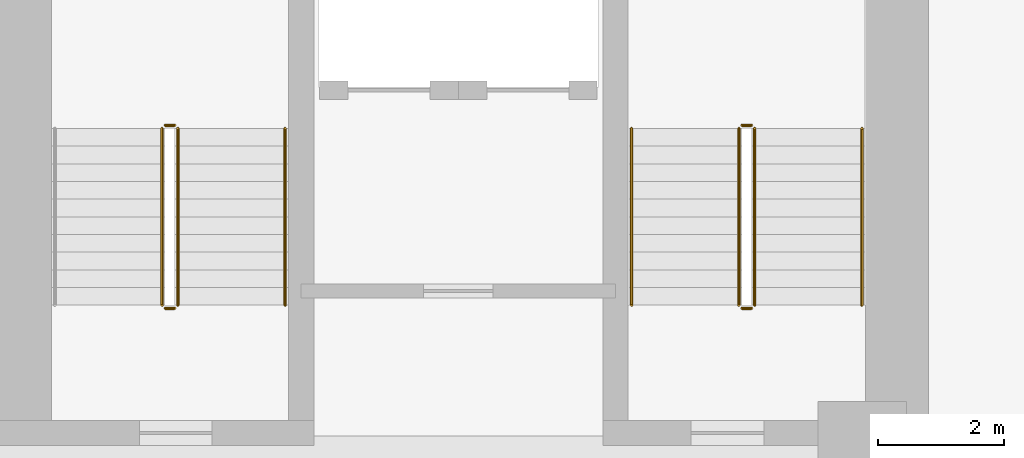
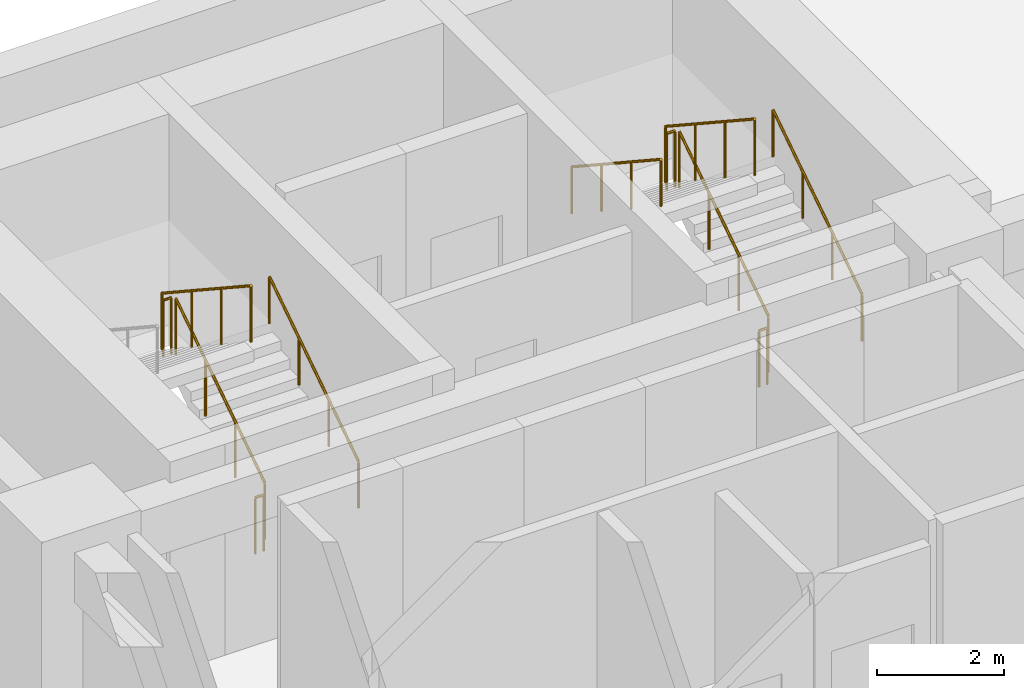
# One storey, part 9 of 11: 11 railings.
"""IFC4 building model written with IfcOpenShell, lengths in metres."""

from ifc_helpers import new_model, si_unit, direction, frame, origin, origin_2d, place, context, subcontext, project, spatial, circle, extrude, material, type_object, element, save


model = new_model("IFC4")

# Units and contexts
model_context = context("Model", 3, precision=1e-05, world=origin(), true_north=direction((0.0, 1.0)))
body_context = subcontext(model_context, "Body", "Model", "MODEL_VIEW")
ifc_project = project(units=[si_unit("LENGTHUNIT", "METRE"), si_unit("AREAUNIT", "SQUARE_METRE"), si_unit("VOLUMEUNIT", "CUBIC_METRE"), si_unit("PLANEANGLEUNIT", "RADIAN"), si_unit("MASSUNIT", "GRAM", prefix="KILO")], contexts=[model_context])

# Site, building, storey
site_placement = place(None, origin())
site = spatial("IfcSite", under=ifc_project, at=site_placement, CompositionType="ELEMENT")
building_placement = place(site_placement, origin())
building = spatial("IfcBuilding", under=site, at=building_placement, Name="Sulina Concourse Tower", CompositionType="ELEMENT")
storey_placement = place(building_placement, frame((0.0, 0.0, 5.39990234375)))
storey = spatial("IfcBuildingStorey", under=building, at=storey_placement, Name="L01", CompositionType="ELEMENT", Elevation=5.39990234375)

# Railings
ifc_material_1 = material(Name="Galvanised steel railing", Category="steel")
railing_type_1 = type_object("IfcRailingType", Name="Core Stair Steel Guardrail 1150mm", PredefinedType="GUARDRAIL", material=ifc_material_1)
railing_1_placement = place(storey_placement, frame((5.554931640625, 36.375, 0.18408203125)))
element("IfcRailing", 1, at=railing_1_placement, inside=storey, type_object=railing_type_1, Name="L01 ST-1 stair guard 1", PredefinedType="GUARDRAIL", context=body_context, shape_type="SweptSolid", body=[
    extrude(circle(Radius=0.02392578125, at=origin_2d()), frame((0.0, 0.0, 1.076171875), z_axis=(0.0, 0.83556406348, 0.549393024911), x_axis=(-1.0, 0.0, 0.0)), (0.0, 0.0, 1.0), 3.35107421875),
    extrude(circle(Radius=0.02099609375, at=origin_2d()), origin(), (0.0, 0.0, 1.0), 1.052001953125),
    extrude(circle(Radius=0.02099609375, at=origin_2d()), frame((0.0, 0.933349609375, 0.61376953125)), (0.0, 0.0, 1.0), 1.052001953125),
    extrude(circle(Radius=0.02099609375, at=origin_2d()), frame((0.0, 1.86669921875, 1.227294921875)), (0.0, 0.0, 1.0), 1.052001953125),
    extrude(circle(Radius=0.02099609375, at=origin_2d()), frame((0.0, 2.800048828125, 1.841064453125)), (0.0, 0.0, 1.0), 1.052001953125),
])
railing_2_placement = place(storey_placement, frame((5.5048828125, 39.22509765625, 2.025146484375)))
element("IfcRailing", 2, at=railing_2_placement, inside=storey, type_object=railing_type_1, Name="L01 ST-1 stair guard 2", PredefinedType="GUARDRAIL", context=body_context, shape_type="SweptSolid", body=[
    extrude(circle(Radius=0.02392578125, at=origin_2d()), frame((0.0, 0.0, 1.076171875), z_axis=(-1.0, 0.0, 0.0), x_axis=(0.0, -1.0, 0.0)), (0.0, 0.0, 1.0), 0.14990234375),
    extrude(circle(Radius=0.02099609375, at=origin_2d()), origin(), (0.0, 0.0, 1.0), 1.052001953125),
    extrude(circle(Radius=0.02099609375, at=origin_2d()), frame((-0.14990234375, 0.0, 0.0)), (0.0, 0.0, 1.0), 1.052001953125),
])
railing_3_placement = place(storey_placement, frame((5.304931640625, 39.175048828125, 2.209228515625)))
element("IfcRailing", 3, at=railing_3_placement, inside=storey, type_object=railing_type_1, Name="L01 ST-1 stair guard 3", PredefinedType="GUARDRAIL", context=body_context, shape_type="SweptSolid", body=[
    extrude(circle(Radius=0.02392578125, at=origin_2d()), frame((0.0, 0.0, 1.076171875), z_axis=(0.0, -0.835597507184, 0.549342157483), x_axis=(1.0, 0.0, 0.0)), (0.0, 0.0, 1.0), 3.35107421875),
    extrude(circle(Radius=0.02099609375, at=origin_2d()), origin(), (0.0, 0.0, 1.0), 1.052001953125),
    extrude(circle(Radius=0.02099609375, at=origin_2d()), frame((0.0, -0.933349609375, 0.613525390625)), (0.0, 0.0, 1.0), 1.052001953125),
    extrude(circle(Radius=0.02099609375, at=origin_2d()), frame((0.0, -1.86669921875, 1.227294921875)), (0.0, 0.0, 1.0), 1.052001953125),
    extrude(circle(Radius=0.02099609375, at=origin_2d()), frame((0.0, -2.800048828125, 1.8408203125)), (0.0, 0.0, 1.0), 1.052001953125),
])
railing_4_placement = place(storey_placement, frame((5.5048828125, 36.324951171875, 0.0)))
element("IfcRailing", 4, at=railing_4_placement, inside=storey, type_object=railing_type_1, Name="L01 ST-1 stair guard 4", PredefinedType="GUARDRAIL", context=body_context, shape_type="SweptSolid", body=[
    extrude(circle(Radius=0.02392578125, at=origin_2d()), frame((0.0, 0.0, 1.076171875), z_axis=(-1.0, 0.0, 0.0), x_axis=(0.0, -1.0, 0.0)), (0.0, 0.0, 1.0), 0.14990234375),
    extrude(circle(Radius=0.02099609375, at=origin_2d()), origin(), (0.0, 0.0, 1.0), 1.052001953125),
    extrude(circle(Radius=0.02099609375, at=origin_2d()), frame((-0.14990234375, 0.0, 0.0)), (0.0, 0.0, 1.0), 1.052001953125),
])
railing_5_placement = place(storey_placement, frame((14.695068359375, 36.375, 0.18408203125)))
element("IfcRailing", 5, at=railing_5_placement, inside=storey, type_object=railing_type_1, Name="L01 ST-2 stair guard 1", PredefinedType="GUARDRAIL", context=body_context, shape_type="SweptSolid", body=[
    extrude(circle(Radius=0.02392578125, at=origin_2d()), frame((0.0, 0.0, 1.076171875), z_axis=(0.0, 0.83556406348, 0.549393024911), x_axis=(-1.0, 0.0, 0.0)), (0.0, 0.0, 1.0), 3.35107421875),
    extrude(circle(Radius=0.02099609375, at=origin_2d()), origin(), (0.0, 0.0, 1.0), 1.052001953125),
    extrude(circle(Radius=0.02099609375, at=origin_2d()), frame((0.0, 0.933349609375, 0.61376953125)), (0.0, 0.0, 1.0), 1.052001953125),
    extrude(circle(Radius=0.02099609375, at=origin_2d()), frame((0.0, 1.86669921875, 1.227294921875)), (0.0, 0.0, 1.0), 1.052001953125),
    extrude(circle(Radius=0.02099609375, at=origin_2d()), frame((0.0, 2.800048828125, 1.841064453125)), (0.0, 0.0, 1.0), 1.052001953125),
])
railing_6_placement = place(storey_placement, frame((14.64501953125, 39.22509765625, 2.025146484375)))
element("IfcRailing", 6, at=railing_6_placement, inside=storey, type_object=railing_type_1, Name="L01 ST-2 stair guard 2", PredefinedType="GUARDRAIL", context=body_context, shape_type="SweptSolid", body=[
    extrude(circle(Radius=0.02392578125, at=origin_2d()), frame((0.0, 0.0, 1.076171875), z_axis=(-1.0, 0.0, 0.0), x_axis=(0.0, -1.0, 0.0)), (0.0, 0.0, 1.0), 0.14990234375),
    extrude(circle(Radius=0.02099609375, at=origin_2d()), origin(), (0.0, 0.0, 1.0), 1.052001953125),
    extrude(circle(Radius=0.02099609375, at=origin_2d()), frame((-0.14990234375, 0.0, 0.0)), (0.0, 0.0, 1.0), 1.052001953125),
])
railing_7_placement = place(storey_placement, frame((14.445068359375, 39.175048828125, 2.209228515625)))
element("IfcRailing", 7, at=railing_7_placement, inside=storey, type_object=railing_type_1, Name="L01 ST-2 stair guard 3", PredefinedType="GUARDRAIL", context=body_context, shape_type="SweptSolid", body=[
    extrude(circle(Radius=0.02392578125, at=origin_2d()), frame((0.0, 0.0, 1.076171875), z_axis=(0.0, -0.835597507184, 0.549342157483), x_axis=(1.0, 0.0, 0.0)), (0.0, 0.0, 1.0), 3.35107421875),
    extrude(circle(Radius=0.02099609375, at=origin_2d()), origin(), (0.0, 0.0, 1.0), 1.052001953125),
    extrude(circle(Radius=0.02099609375, at=origin_2d()), frame((0.0, -0.933349609375, 0.613525390625)), (0.0, 0.0, 1.0), 1.052001953125),
    extrude(circle(Radius=0.02099609375, at=origin_2d()), frame((0.0, -1.86669921875, 1.227294921875)), (0.0, 0.0, 1.0), 1.052001953125),
    extrude(circle(Radius=0.02099609375, at=origin_2d()), frame((0.0, -2.800048828125, 1.8408203125)), (0.0, 0.0, 1.0), 1.052001953125),
])
railing_8_placement = place(storey_placement, frame((14.64501953125, 36.324951171875, 0.0)))
element("IfcRailing", 8, at=railing_8_placement, inside=storey, type_object=railing_type_1, Name="L01 ST-2 stair guard 4", PredefinedType="GUARDRAIL", context=body_context, shape_type="SweptSolid", body=[
    extrude(circle(Radius=0.02392578125, at=origin_2d()), frame((0.0, 0.0, 1.076171875), z_axis=(-1.0, 0.0, 0.0), x_axis=(0.0, -1.0, 0.0)), (0.0, 0.0, 1.0), 0.14990234375),
    extrude(circle(Radius=0.02099609375, at=origin_2d()), origin(), (0.0, 0.0, 1.0), 1.052001953125),
    extrude(circle(Radius=0.02099609375, at=origin_2d()), frame((-0.14990234375, 0.0, 0.0)), (0.0, 0.0, 1.0), 1.052001953125),
])
ifc_material_2 = material(Name="Galvanised steel railing", Category="steel")
railing_type_2 = type_object("IfcRailingType", Name="Stair Wall Steel Handrail 920mm", PredefinedType="HANDRAIL", material=ifc_material_2)
for number, where, name in (
    (9, (7.2548828125, 36.375, 0.18408203125), "L01 ST-1 stair handrail 1"),
    (10, (16.39501953125, 36.375, 0.18408203125), "L01 ST-2 stair handrail 1"),
):
    element("IfcRailing", number, at=place(storey_placement, frame(where)), inside=storey, type_object=railing_type_2, Name=name, PredefinedType="HANDRAIL", context=body_context, shape_type="SweptSolid", body=[
        extrude(circle(Radius=0.02392578125, at=origin_2d()), frame((0.0, 0.0, 0.89599609375), z_axis=(0.0, 0.83556406348, 0.549393024911), x_axis=(-1.0, 0.0, 0.0)), (0.0, 0.0, 1.0), 3.35107421875),
        extrude(circle(Radius=0.02099609375, at=origin_2d()), origin(), (0.0, 0.0, 1.0), 0.871826171875),
        extrude(circle(Radius=0.02099609375, at=origin_2d()), frame((0.0, 0.933349609375, 0.61376953125)), (0.0, 0.0, 1.0), 0.871826171875),
        extrude(circle(Radius=0.02099609375, at=origin_2d()), frame((0.0, 1.86669921875, 1.227294921875)), (0.0, 0.0, 1.0), 0.871826171875),
        extrude(circle(Radius=0.02099609375, at=origin_2d()), frame((0.0, 2.800048828125, 1.841064453125)), (0.0, 0.0, 1.0), 0.871826171875),
    ])
railing_9_placement = place(storey_placement, frame((12.7451171875, 39.175048828125, 2.209228515625)))
element("IfcRailing", 11, at=railing_9_placement, inside=storey, type_object=railing_type_2, Name="L01 ST-2 stair handrail 2", PredefinedType="HANDRAIL", context=body_context, shape_type="SweptSolid", body=[
    extrude(circle(Radius=0.02392578125, at=origin_2d()), frame((0.0, 0.0, 0.89599609375), z_axis=(0.0, -0.835597507184, 0.549342157483), x_axis=(1.0, 0.0, 0.0)), (0.0, 0.0, 1.0), 3.35107421875),
    extrude(circle(Radius=0.02099609375, at=origin_2d()), origin(), (0.0, 0.0, 1.0), 0.871826171875),
    extrude(circle(Radius=0.02099609375, at=origin_2d()), frame((0.0, -0.933349609375, 0.613525390625)), (0.0, 0.0, 1.0), 0.871826171875),
    extrude(circle(Radius=0.02099609375, at=origin_2d()), frame((0.0, -1.86669921875, 1.227294921875)), (0.0, 0.0, 1.0), 0.871826171875),
    extrude(circle(Radius=0.02099609375, at=origin_2d()), frame((0.0, -2.800048828125, 1.8408203125)), (0.0, 0.0, 1.0), 0.871826171875),
])

save(model, "model.ifc")
